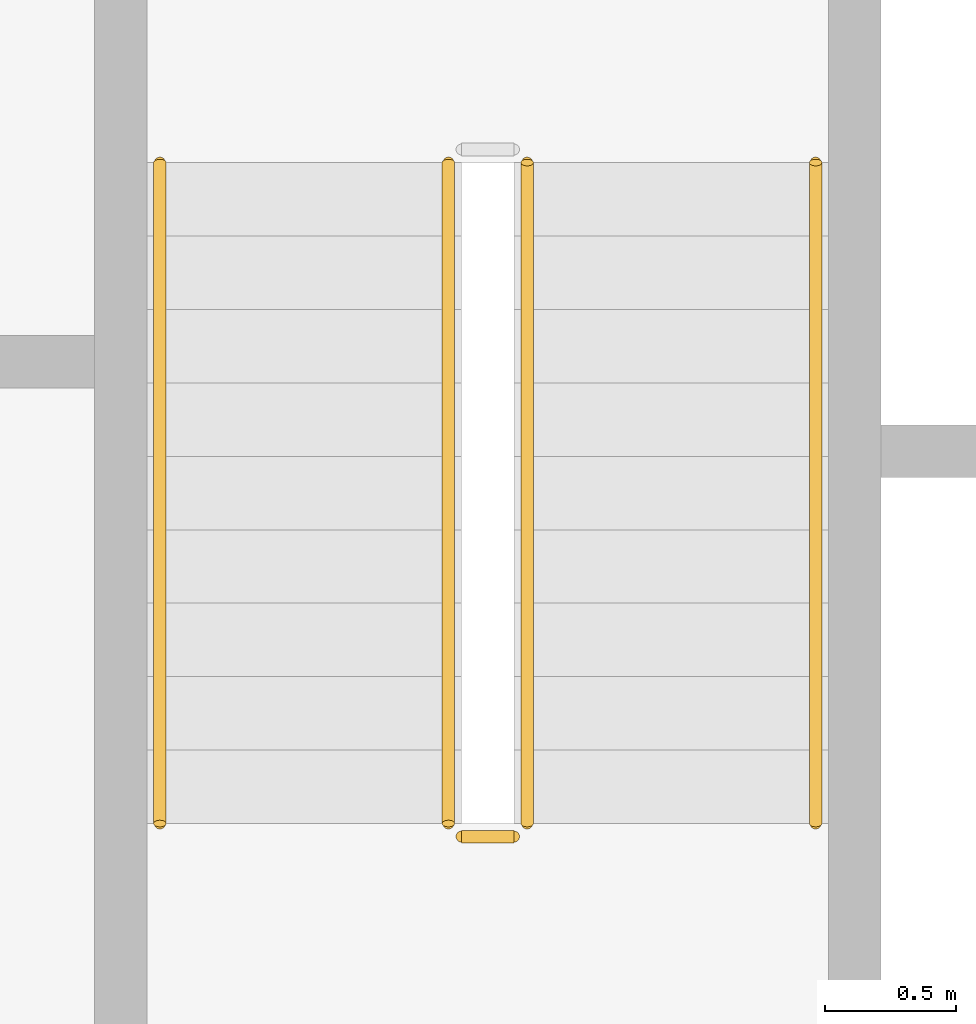
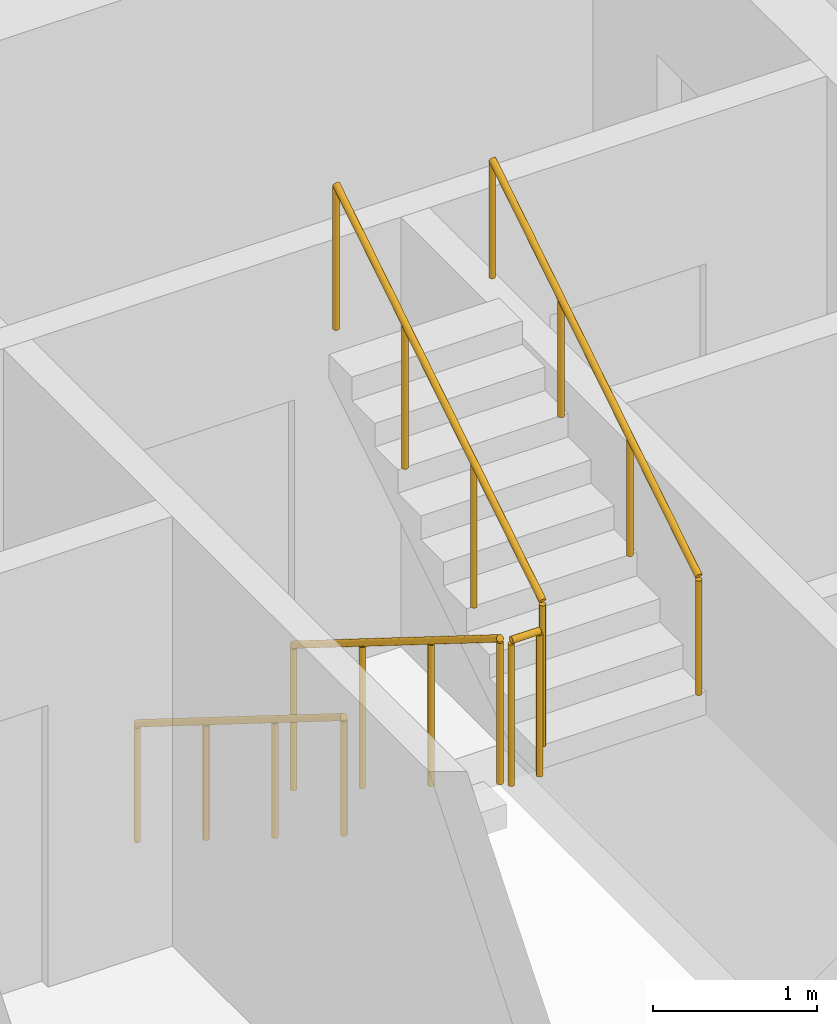
# One storey, part 15 of 22: 5 railings.
"""IFC4 building model written with IfcOpenShell, lengths in metres."""

from ifc_helpers import new_model, si_unit, direction, frame, origin, origin_2d, place, context, subcontext, project, spatial, circle, extrude, material, type_object, element, save


model = new_model("IFC4")

# Units and contexts
model_context = context("Model", 3, precision=1e-05, world=origin(), true_north=direction((0.0, 1.0)))
body_context = subcontext(model_context, "Body", "Model", "MODEL_VIEW")
ifc_project = project(units=[si_unit("LENGTHUNIT", "METRE"), si_unit("AREAUNIT", "SQUARE_METRE"), si_unit("VOLUMEUNIT", "CUBIC_METRE"), si_unit("PLANEANGLEUNIT", "RADIAN"), si_unit("MASSUNIT", "GRAM", prefix="KILO")], contexts=[model_context])

# Site, building, storey
site_placement = place(None, origin())
site = spatial("IfcSite", under=ifc_project, at=site_placement, CompositionType="ELEMENT")
building_placement = place(site_placement, origin())
building = spatial("IfcBuilding", under=site, at=building_placement, Name="Kiln Ring Residences", CompositionType="ELEMENT")
storey_placement = place(building_placement, frame((0.0, 0.0, 143.10009765625)))
storey = spatial("IfcBuildingStorey", under=building, at=storey_placement, Name="L36", CompositionType="ELEMENT", Elevation=143.10009765625)

# Railings
ifc_material_1 = material(Name="Stainless steel", Category="steel")
railing_type_1 = type_object("IfcRailingType", Name="CORE-STAIR-GUARD", PredefinedType="GUARDRAIL", material=ifc_material_1)
railing_1_placement = place(storey_placement, frame((-22.25, 8.39990234375, 0.1748046875)))
element("IfcRailing", 1, at=railing_1_placement, inside=storey, type_object=railing_type_1, Name="L36 W-STN stair guard 1", PredefinedType="GUARDRAIL", context=body_context, shape_type="SweptSolid", body=[
    extrude(circle(Radius=0.02392578125, at=origin_2d()), frame((0.0, 0.0, 1.076171875), z_axis=(0.0, -0.847970611238, 0.530043245855), x_axis=(1.0, 0.0, 0.0)), (0.0, 0.0, 1.0), 2.971923828125),
    extrude(circle(Radius=0.02099609375, at=origin_2d()), origin(), (0.0, 0.0, 1.0), 1.052001953125),
    extrude(circle(Radius=0.02099609375, at=origin_2d()), frame((0.0, -0.840087890625, 0.525146484375)), (0.0, 0.0, 1.0), 1.052001953125),
    extrude(circle(Radius=0.02099609375, at=origin_2d()), frame((0.0, -1.679931640625, 1.050048828125)), (0.0, 0.0, 1.0), 1.052001953125),
    extrude(circle(Radius=0.02099609375, at=origin_2d()), frame((0.0, -2.52001953125, 1.5751953125)), (0.0, 0.0, 1.0), 1.052001953125),
])
railing_2_placement = place(storey_placement, frame((-22.199951171875, 5.830078125, 1.75)))
element("IfcRailing", 2, at=railing_2_placement, inside=storey, type_object=railing_type_1, Name="L36 W-STN stair guard 2", PredefinedType="GUARDRAIL", context=body_context, shape_type="SweptSolid", body=[
    extrude(circle(Radius=0.02392578125, at=origin_2d()), frame((0.0, 0.0, 1.076171875), z_axis=(1.0, 0.0, 0.0), x_axis=(0.0, 1.0, 0.0)), (0.0, 0.0, 1.0), 0.199951171875),
    extrude(circle(Radius=0.02099609375, at=origin_2d()), origin(), (0.0, 0.0, 1.0), 1.052001953125),
    extrude(circle(Radius=0.02099609375, at=origin_2d()), frame((0.199951171875, 0.0, 0.0)), (0.0, 0.0, 1.0), 1.052001953125),
])
railing_3_placement = place(storey_placement, frame((-21.949951171875, 5.8798828125, 1.9248046875)))
element("IfcRailing", 3, at=railing_3_placement, inside=storey, type_object=railing_type_1, Name="L36 W-STN stair guard 3", PredefinedType="GUARDRAIL", context=body_context, shape_type="SweptSolid", body=[
    extrude(circle(Radius=0.02392578125, at=origin_2d()), frame((0.0, 0.0, 1.076171875), z_axis=(0.0, 0.847970611238, 0.530043245855), x_axis=(-1.0, 0.0, 0.0)), (0.0, 0.0, 1.0), 2.971923828125),
    extrude(circle(Radius=0.02099609375, at=origin_2d()), origin(), (0.0, 0.0, 1.0), 1.052001953125),
    extrude(circle(Radius=0.02099609375, at=origin_2d()), frame((0.0, 0.840087890625, 0.525146484375)), (0.0, 0.0, 1.0), 1.052001953125),
    extrude(circle(Radius=0.02099609375, at=origin_2d()), frame((0.0, 1.679931640625, 1.050048828125)), (0.0, 0.0, 1.0), 1.052001953125),
    extrude(circle(Radius=0.02099609375, at=origin_2d()), frame((0.0, 2.52001953125, 1.5751953125)), (0.0, 0.0, 1.0), 1.052001953125),
])
ifc_material_2 = material(Name="Stainless steel", Category="steel")
railing_type_2 = type_object("IfcRailingType", Name="CORE-STAIR-HANDRAIL", PredefinedType="HANDRAIL", material=ifc_material_2)
railing_4_placement = place(storey_placement, frame((-23.35009765625, 8.39990234375, 0.1748046875)))
element("IfcRailing", 4, at=railing_4_placement, inside=storey, type_object=railing_type_2, Name="L36 W-STN stair handrail 1", PredefinedType="HANDRAIL", context=body_context, shape_type="SweptSolid", body=[
    extrude(circle(Radius=0.02392578125, at=origin_2d()), frame((0.0, 0.0, 0.8759765625), z_axis=(0.0, -0.847970611238, 0.530043245855), x_axis=(1.0, 0.0, 0.0)), (0.0, 0.0, 1.0), 2.971923828125),
    extrude(circle(Radius=0.02099609375, at=origin_2d()), origin(), (0.0, 0.0, 1.0), 0.851806640625),
    extrude(circle(Radius=0.02099609375, at=origin_2d()), frame((0.0, -0.840087890625, 0.525146484375)), (0.0, 0.0, 1.0), 0.851806640625),
    extrude(circle(Radius=0.02099609375, at=origin_2d()), frame((0.0, -1.679931640625, 1.050048828125)), (0.0, 0.0, 1.0), 0.851806640625),
    extrude(circle(Radius=0.02099609375, at=origin_2d()), frame((0.0, -2.52001953125, 1.5751953125)), (0.0, 0.0, 1.0), 0.851806640625),
])
railing_5_placement = place(storey_placement, frame((-20.85009765625, 5.8798828125, 1.9248046875)))
element("IfcRailing", 5, at=railing_5_placement, inside=storey, type_object=railing_type_2, Name="L36 W-STN stair handrail 2", PredefinedType="HANDRAIL", context=body_context, shape_type="SweptSolid", body=[
    extrude(circle(Radius=0.02392578125, at=origin_2d()), frame((0.0, 0.0, 0.8759765625), z_axis=(0.0, 0.847970611238, 0.530043245855), x_axis=(-1.0, 0.0, 0.0)), (0.0, 0.0, 1.0), 2.971923828125),
    extrude(circle(Radius=0.02099609375, at=origin_2d()), origin(), (0.0, 0.0, 1.0), 0.851806640625),
    extrude(circle(Radius=0.02099609375, at=origin_2d()), frame((0.0, 0.840087890625, 0.525146484375)), (0.0, 0.0, 1.0), 0.851806640625),
    extrude(circle(Radius=0.02099609375, at=origin_2d()), frame((0.0, 1.679931640625, 1.050048828125)), (0.0, 0.0, 1.0), 0.851806640625),
    extrude(circle(Radius=0.02099609375, at=origin_2d()), frame((0.0, 2.52001953125, 1.5751953125)), (0.0, 0.0, 1.0), 0.851806640625),
])

save(model, "model.ifc")
